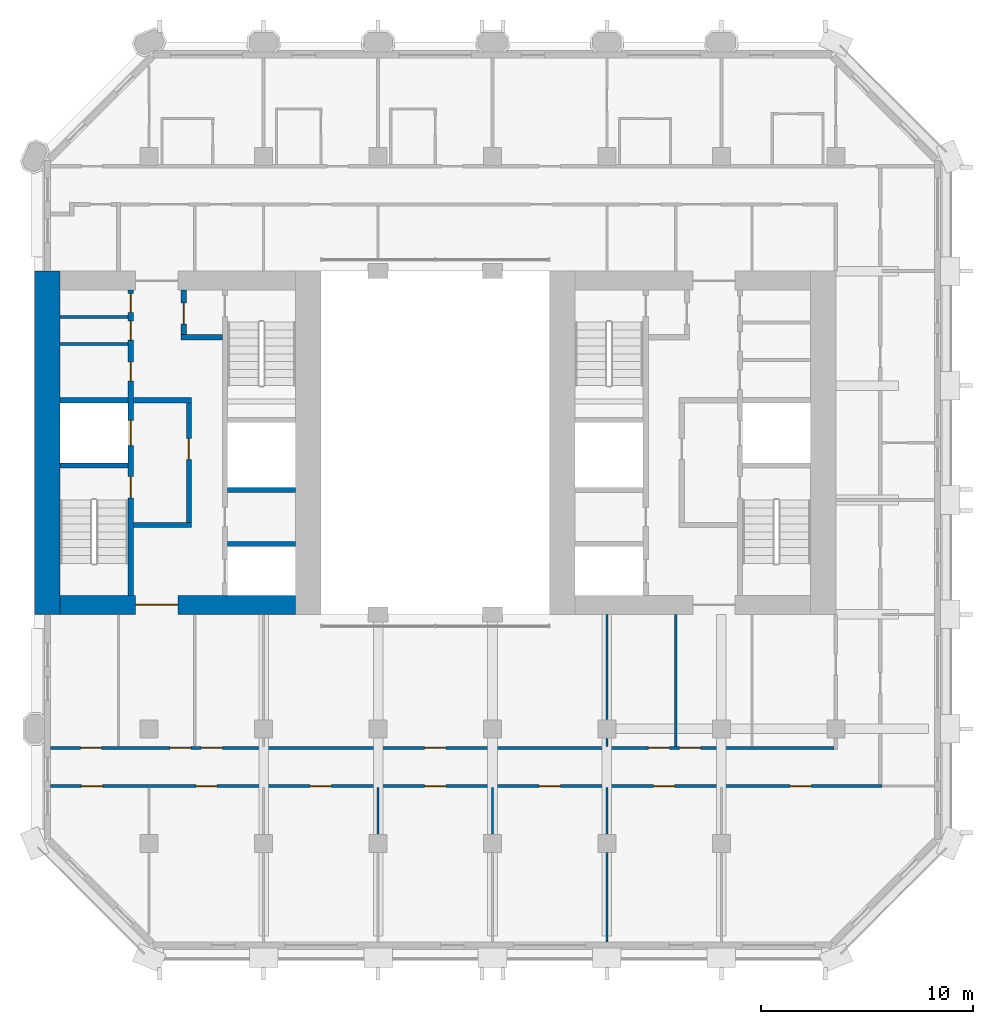
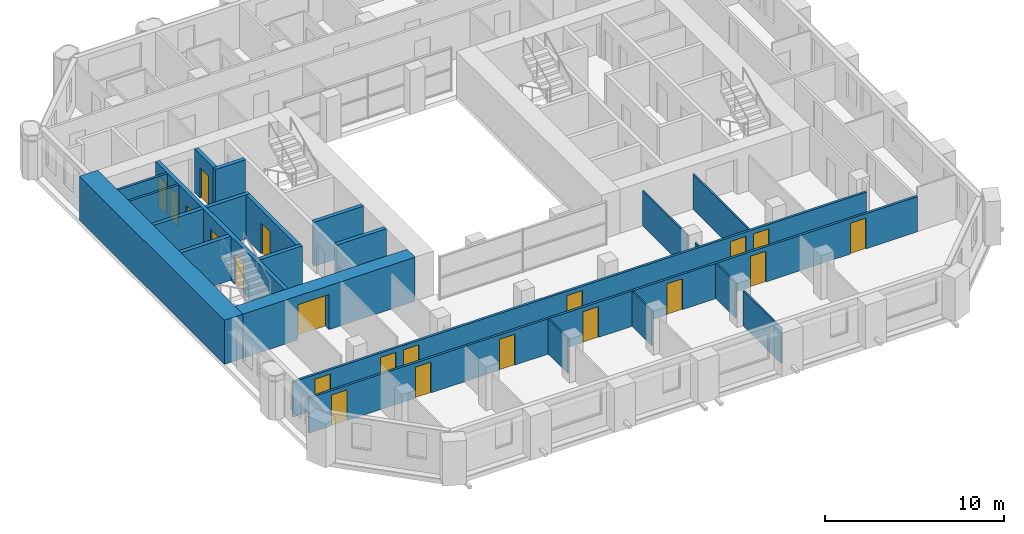
# One storey, part 6 of 13: 23 walls, 21 doors, 21 openings.
"""IFC4 building model written with IfcOpenShell, lengths in metres."""

from ifc_helpers import new_model, si_unit, direction, frame, frame_2d, origin, place, context, subcontext, project, spatial, rectangle, extrude, material, layer, layer_set, type_object, element, fill, save


model = new_model("IFC4")

# Units and contexts
model_context = context("Model", 3, precision=1e-05, world=origin(), true_north=direction((0.0, 1.0)))
body_context = subcontext(model_context, "Body", "Model", "MODEL_VIEW")
ifc_project = project(units=[si_unit("LENGTHUNIT", "METRE"), si_unit("AREAUNIT", "SQUARE_METRE"), si_unit("VOLUMEUNIT", "CUBIC_METRE"), si_unit("PLANEANGLEUNIT", "RADIAN"), si_unit("MASSUNIT", "GRAM", prefix="KILO")], contexts=[model_context])

# Site, building, storey
site_placement = place(None, origin())
site = spatial("IfcSite", under=ifc_project, at=site_placement, CompositionType="ELEMENT")
building_placement = place(site_placement, origin())
building = spatial("IfcBuilding", under=site, at=building_placement, Name="Tabaq Tower and Sports Hall", CompositionType="ELEMENT")
storey_placement = place(building_placement, frame((0.0, 0.0, 169.300048828125)))
storey = spatial("IfcBuildingStorey", under=building, at=storey_placement, Name="L40", CompositionType="ELEMENT", Elevation=169.300048828125)

# Walls
ifc_material_1 = material(Name="Blockwork", Category="masonry")
ifc_layer_1 = layer(ifc_material_1, 0.14990234375)
ifc_layer_set_1 = layer_set([ifc_layer_1], Name="Core room partition 150 Blockwork")
wall_type_1 = type_object("IfcWallType", Name="Core room partition 150 Blockwork", PredefinedType="PARTITIONING", material=ifc_layer_set_1)
for number, where, z_axis, x_axis, name in (
    (1, (6.60009765625, 28.962890625, 0.0), (0.0, 0.0, 1.0), (1.0, 0.0, 0.0), "Core room partition W L40"),
    (2, (6.60009765625, 30.23193359375, 0.0), (0.0, 0.0, 1.0), (1.0, 0.0, 0.0), "Core room partition W L40"),
):
    element("IfcWall", number, at=place(storey_placement, frame(where, z_axis=z_axis, x_axis=x_axis)), inside=storey, type_object=wall_type_1, Name=name, PredefinedType="PARTITIONING", context=body_context, shape_type="SweptSolid", body=[
        extrude(rectangle(XDim=3.199951171875, YDim=0.14990234375, at=frame_2d((1.60009765625, 0.0))), origin(), (0.0, 0.0, 1.0), 3.0),
    ])
ifc_material_2 = material(Name="Concrete C50/60", Category="concrete")
ifc_layer_2 = layer(ifc_material_2, 1.199951171875)
ifc_layer_set_2 = layer_set([ifc_layer_2], Name="Core wall 1200 Concrete C50/60")
wall_type_2 = type_object("IfcWallType", Name="Core wall 1200 Concrete C50/60", PredefinedType="SOLIDWALL", material=ifc_layer_set_2)
wall_1_placement = place(storey_placement, frame((6.0, 16.199951171875, 0.0), z_axis=(0.0, 0.0, 1.0), x_axis=(0.0, 1.0, 0.0)))
element("IfcWall", 3, at=wall_1_placement, inside=storey, type_object=wall_type_2, Name="Core wall W L40", PredefinedType="SOLIDWALL", context=body_context, shape_type="SweptSolid", body=[
    extrude(rectangle(XDim=16.199951171875, YDim=1.199951171875, at=frame_2d((8.10009765625, 0.0))), origin(), (0.0, 0.0, 1.0), 3.0),
])

# Wall, opening, door
ifc_material_3 = material(Name="Concrete C50/60", Category="concrete")
ifc_layer_3 = layer(ifc_material_3, 0.89990234375)
ifc_layer_set_3 = layer_set([ifc_layer_3], Name="Core wall 900 Concrete C50/60")
wall_type_3 = type_object("IfcWallType", Name="Core wall 900 Concrete C50/60", PredefinedType="SOLIDWALL", material=ifc_layer_set_3)
wall_2_placement = place(storey_placement, frame((17.699951171875, 16.64990234375, 0.0), z_axis=(0.0, 0.0, 1.0), x_axis=(-1.0, 0.0, 0.0)))
wall_2 = element("IfcWall", 4, at=wall_2_placement, inside=storey, type_object=wall_type_3, Name="Core wall W L40", PredefinedType="SOLIDWALL", context=body_context, shape_type="SweptSolid", body=[
    extrude(rectangle(XDim=11.099853515625, YDim=0.89990234375, at=frame_2d((5.5498046875, 0.0))), origin(), (0.0, 0.0, 1.0), 3.0),
])
opening_1_placement = place(wall_2_placement, frame((5.550048828125, 0.0, 0.0)))
opening_1 = element("IfcOpeningElement", 5, at=opening_1_placement, cuts=wall_2, Name="Opening PD-WL40-01", PredefinedType="OPENING", context=body_context, shape_type="SweptSolid", body=[
    extrude(rectangle(XDim=2.0, YDim=2.39990234375, at=frame_2d((1.0, 1.199951171875))), frame((0.0, 0.449951171875, 0.0), z_axis=(0.0, -1.0, 0.0), x_axis=(1.0, 0.0, 0.0)), (0.0, 0.0, 1.0), 0.89990234375),
])
ifc_material_4 = material(Name="Steel fire door", Category="steel")
door_type_1 = type_object("IfcDoorType", Name="Core entrance door 2000", OperationType="DOUBLE_DOOR_SINGLE_SWING", PredefinedType="DOOR", material=ifc_material_4)
door_1_placement = place(opening_1_placement, origin())
door_1 = element("IfcDoor", 6, at=door_1_placement, inside=storey, type_object=door_type_1, Name="Core entrance south W L40", OperationType="DOUBLE_DOOR_SINGLE_SWING", OverallHeight=2.39990234375, OverallWidth=2.0, PredefinedType="DOOR", context=body_context, shape_type="SweptSolid", body=[
    extrude(rectangle(XDim=2.0, YDim=2.39990234375, at=frame_2d((1.0, 1.199951171875))), frame((0.0, 0.02490234375, 0.0), z_axis=(0.0, -1.0, 0.0), x_axis=(1.0, 0.0, 0.0)), (0.0, 0.0, 1.0), 0.050048828125),
])
fill(opening_1, door_1)

# Walls
ifc_material_5 = material(Name="Gypsum board on steel studs", Category="steel")
ifc_layer_4 = layer(ifc_material_5, 0.10009765625)
ifc_layer_set_4 = layer_set([ifc_layer_4], Name="Partition 100 Gypsum board")
wall_type_4 = type_object("IfcWallType", Name="Partition 100 Gypsum board", PredefinedType="PARTITIONING", material=ifc_layer_set_4)
for number, where, z_axis, x_axis, name in (
    (7, (21.60009765625, 5.844970703125, 0.0), (0.0, 0.0, 1.0), (0.0, 1.0, 0.0), "Partition wall L40"),
    (8, (27.0, 5.844970703125, 0.0), (0.0, 0.0, 1.0), (0.0, 1.0, 0.0), "Partition wall L40"),
):
    element("IfcWall", number, at=place(storey_placement, frame(where, z_axis=z_axis, x_axis=x_axis)), inside=storey, type_object=wall_type_4, Name=name, PredefinedType="PARTITIONING", context=body_context, shape_type="SweptSolid", body=[
        extrude(rectangle(XDim=2.179931640625, YDim=0.10009765625, at=frame_2d((1.08984375, 0.0))), origin(), (0.0, 0.0, 1.0), 2.39990234375),
    ])
wall_3_placement = place(storey_placement, frame((32.39990234375, 0.7509765625, 0.0), z_axis=(0.0, 0.0, 1.0), x_axis=(0.0, 1.0, 0.0)))
element("IfcWall", 9, at=wall_3_placement, inside=storey, type_object=wall_type_4, Name="Partition wall L40", PredefinedType="PARTITIONING", context=body_context, shape_type="SweptSolid", body=[
    extrude(rectangle(XDim=4.2041015625, YDim=0.10009765625, at=frame_2d((2.10205078125, 0.0))), origin(), (0.0, 0.0, 1.0), 2.39990234375),
])
wall_4_placement = place(storey_placement, frame((32.39990234375, 5.844970703125, 0.0), z_axis=(0.0, 0.0, 1.0), x_axis=(0.0, 1.0, 0.0)))
element("IfcWall", 10, at=wall_4_placement, inside=storey, type_object=wall_type_4, Name="Partition wall L40", PredefinedType="PARTITIONING", context=body_context, shape_type="SweptSolid", body=[
    extrude(rectangle(XDim=2.179931640625, YDim=0.10009765625, at=frame_2d((1.08984375, 0.0))), origin(), (0.0, 0.0, 1.0), 2.39990234375),
])
wall_5_placement = place(storey_placement, frame((32.39990234375, 9.97509765625, 0.0), z_axis=(0.0, 0.0, 1.0), x_axis=(0.0, 1.0, 0.0)))
element("IfcWall", 11, at=wall_5_placement, inside=storey, type_object=wall_type_4, Name="Partition wall L40", PredefinedType="PARTITIONING", context=body_context, shape_type="SweptSolid", body=[
    extrude(rectangle(XDim=0.3798828125, YDim=0.10009765625, at=frame_2d((0.18994140625, 0.0))), origin(), (0.0, 0.0, 1.0), 2.39990234375),
])
wall_6_placement = place(storey_placement, frame((32.39990234375, 11.2451171875, 0.0), z_axis=(0.0, 0.0, 1.0), x_axis=(0.0, 1.0, 0.0)))
element("IfcWall", 12, at=wall_6_placement, inside=storey, type_object=wall_type_4, Name="Partition wall L40", PredefinedType="PARTITIONING", context=body_context, shape_type="SweptSolid", body=[
    extrude(rectangle(XDim=4.954833984375, YDim=0.10009765625, at=frame_2d((2.4775390625, 0.0))), origin(), (0.0, 0.0, 1.0), 2.39990234375),
])
wall_7_placement = place(storey_placement, frame((35.64990234375, 16.199951171875, 0.0), z_axis=(0.0, 0.0, 1.0), x_axis=(0.0, -1.0, 0.0)))
element("IfcWall", 13, at=wall_7_placement, inside=storey, type_object=wall_type_4, Name="Partition wall L40", PredefinedType="PARTITIONING", context=body_context, shape_type="SweptSolid", body=[
    extrude(rectangle(XDim=6.224853515625, YDim=0.10009765625, at=frame_2d((3.1123046875, 0.0))), origin(), (0.0, 0.0, 1.0), 2.39990234375),
])

# Wall, openings, doors
ifc_material_6 = material(Name="Blockwork", Category="masonry")
ifc_layer_5 = layer(ifc_material_6, 0.14990234375)
ifc_layer_set_5 = layer_set([ifc_layer_5], Name="Separating wall 150 Blockwork")
wall_type_5 = type_object("IfcWallType", Name="Separating wall 150 Blockwork", PredefinedType="PARTITIONING", material=ifc_layer_set_5)
wall_8_placement = place(storey_placement, frame((45.375, 8.10009765625, 0.0), z_axis=(0.0, 0.0, 1.0), x_axis=(-1.0, 0.0, 0.0)))
wall_8 = element("IfcWall", 14, at=wall_8_placement, inside=storey, type_object=wall_type_5, Name="Separating wall L40", PredefinedType="PARTITIONING", context=body_context, shape_type="SweptSolid", body=[
    extrude(rectangle(XDim=39.22412109375, YDim=0.14990234375, at=frame_2d((19.612060546875, 0.0))), origin(), (0.0, 0.0, 1.0), 2.39990234375),
])
opening_2_placement = place(wall_8_placement, frame((36.77490234375, 0.0, 0.0)))
opening_2 = element("IfcOpeningElement", 15, at=opening_2_placement, cuts=wall_8, Name="Opening L40-015", PredefinedType="OPENING", context=body_context, shape_type="SweptSolid", body=[
    extrude(rectangle(XDim=1.0, YDim=2.10009765625, at=frame_2d((0.5, 1.050048828125))), frame((0.0, 0.074951171875, 0.0), z_axis=(0.0, -1.0, 0.0), x_axis=(1.0, 0.0, 0.0)), (0.0, 0.0, 1.0), 0.14990234375),
])
opening_3_placement = place(wall_8_placement, frame((31.375, 0.0, 0.0)))
opening_3 = element("IfcOpeningElement", 16, at=opening_3_placement, cuts=wall_8, Name="Opening L40-016", PredefinedType="OPENING", context=body_context, shape_type="SweptSolid", body=[
    extrude(rectangle(XDim=1.0, YDim=2.10009765625, at=frame_2d((0.5, 1.050048828125))), frame((0.0, 0.074951171875, 0.0), z_axis=(0.0, -1.0, 0.0), x_axis=(1.0, 0.0, 0.0)), (0.0, 0.0, 1.0), 0.14990234375),
])
opening_4_placement = place(wall_8_placement, frame((25.97509765625, 0.0, 0.0)))
opening_4 = element("IfcOpeningElement", 17, at=opening_4_placement, cuts=wall_8, Name="Opening L40-017", PredefinedType="OPENING", context=body_context, shape_type="SweptSolid", body=[
    extrude(rectangle(XDim=1.0, YDim=2.10009765625, at=frame_2d((0.5, 1.050048828125))), frame((0.0, 0.074951171875, 0.0), z_axis=(0.0, -1.0, 0.0), x_axis=(1.0, 0.0, 0.0)), (0.0, 0.0, 1.0), 0.14990234375),
])
opening_5_placement = place(wall_8_placement, frame((20.574951171875, 0.0, 0.0)))
opening_5 = element("IfcOpeningElement", 18, at=opening_5_placement, cuts=wall_8, Name="Opening L40-018", PredefinedType="OPENING", context=body_context, shape_type="SweptSolid", body=[
    extrude(rectangle(XDim=1.0, YDim=2.10009765625, at=frame_2d((0.5, 1.050048828125))), frame((0.0, 0.074951171875, 0.0), z_axis=(0.0, -1.0, 0.0), x_axis=(1.0, 0.0, 0.0)), (0.0, 0.0, 1.0), 0.14990234375),
])
opening_6_placement = place(wall_8_placement, frame((15.175048828125, 0.0, 0.0)))
opening_6 = element("IfcOpeningElement", 19, at=opening_6_placement, cuts=wall_8, Name="Opening L40-019", PredefinedType="OPENING", context=body_context, shape_type="SweptSolid", body=[
    extrude(rectangle(XDim=1.0, YDim=2.10009765625, at=frame_2d((0.5, 1.050048828125))), frame((0.0, 0.074951171875, 0.0), z_axis=(0.0, -1.0, 0.0), x_axis=(1.0, 0.0, 0.0)), (0.0, 0.0, 1.0), 0.14990234375),
])
opening_7_placement = place(wall_8_placement, frame((9.77490234375, 0.0, 0.0)))
opening_7 = element("IfcOpeningElement", 20, at=opening_7_placement, cuts=wall_8, Name="Opening L40-020", PredefinedType="OPENING", context=body_context, shape_type="SweptSolid", body=[
    extrude(rectangle(XDim=1.0, YDim=2.10009765625, at=frame_2d((0.5, 1.050048828125))), frame((0.0, 0.074951171875, 0.0), z_axis=(0.0, -1.0, 0.0), x_axis=(1.0, 0.0, 0.0)), (0.0, 0.0, 1.0), 0.14990234375),
])
opening_8_placement = place(wall_8_placement, frame((3.324951171875, 0.0, 0.0)))
opening_8 = element("IfcOpeningElement", 21, at=opening_8_placement, cuts=wall_8, Name="Opening L40-021", PredefinedType="OPENING", context=body_context, shape_type="SweptSolid", body=[
    extrude(rectangle(XDim=1.0, YDim=2.10009765625, at=frame_2d((0.5, 1.050048828125))), frame((0.0, 0.074951171875, 0.0), z_axis=(0.0, -1.0, 0.0), x_axis=(1.0, 0.0, 0.0)), (0.0, 0.0, 1.0), 0.14990234375),
])
ifc_material_7 = material(Name="Timber leaf in steel frame", Category="steel")
door_type_2 = type_object("IfcDoorType", Name="Internal door 1000 left hand", OperationType="SINGLE_SWING_LEFT", PredefinedType="DOOR", material=ifc_material_7)
door_2_placement = place(opening_2_placement, origin())
door_2 = element("IfcDoor", 22, at=door_2_placement, inside=storey, type_object=door_type_2, Name="Internal door L40-015", OperationType="SINGLE_SWING_LEFT", OverallHeight=2.10009765625, OverallWidth=1.0, PredefinedType="DOOR", context=body_context, shape_type="SweptSolid", body=[
    extrude(rectangle(XDim=1.0, YDim=2.10009765625, at=frame_2d((0.5, 1.050048828125))), frame((0.0, 0.02490234375, 0.0), z_axis=(0.0, -1.0, 0.0), x_axis=(1.0, 0.0, 0.0)), (0.0, 0.0, 1.0), 0.050048828125),
])
fill(opening_2, door_2)
door_3_placement = place(opening_5_placement, origin())
door_3 = element("IfcDoor", 23, at=door_3_placement, inside=storey, type_object=door_type_2, Name="Internal door L40-018", OperationType="SINGLE_SWING_LEFT", OverallHeight=2.10009765625, OverallWidth=1.0, PredefinedType="DOOR", context=body_context, shape_type="SweptSolid", body=[
    extrude(rectangle(XDim=1.0, YDim=2.10009765625, at=frame_2d((0.5, 1.050048828125))), frame((0.0, 0.02490234375, 0.0), z_axis=(0.0, -1.0, 0.0), x_axis=(1.0, 0.0, 0.0)), (0.0, 0.0, 1.0), 0.050048828125),
])
fill(opening_5, door_3)
door_4_placement = place(opening_6_placement, origin())
door_4 = element("IfcDoor", 24, at=door_4_placement, inside=storey, type_object=door_type_2, Name="Internal door L40-019", OperationType="SINGLE_SWING_LEFT", OverallHeight=2.10009765625, OverallWidth=1.0, PredefinedType="DOOR", context=body_context, shape_type="SweptSolid", body=[
    extrude(rectangle(XDim=1.0, YDim=2.10009765625, at=frame_2d((0.5, 1.050048828125))), frame((0.0, 0.02490234375, 0.0), z_axis=(0.0, -1.0, 0.0), x_axis=(1.0, 0.0, 0.0)), (0.0, 0.0, 1.0), 0.050048828125),
])
fill(opening_6, door_4)
ifc_material_8 = material(Name="Timber leaf in steel frame", Category="steel")
door_type_3 = type_object("IfcDoorType", Name="Internal door 1000 right hand", OperationType="SINGLE_SWING_RIGHT", PredefinedType="DOOR", material=ifc_material_8)
door_5_placement = place(opening_3_placement, origin())
door_5 = element("IfcDoor", 25, at=door_5_placement, inside=storey, type_object=door_type_3, Name="Internal door L40-016", OperationType="SINGLE_SWING_RIGHT", OverallHeight=2.10009765625, OverallWidth=1.0, PredefinedType="DOOR", context=body_context, shape_type="SweptSolid", body=[
    extrude(rectangle(XDim=1.0, YDim=2.10009765625, at=frame_2d((0.5, 1.050048828125))), frame((0.0, 0.02490234375, 0.0), z_axis=(0.0, -1.0, 0.0), x_axis=(1.0, 0.0, 0.0)), (0.0, 0.0, 1.0), 0.050048828125),
])
fill(opening_3, door_5)
door_6_placement = place(opening_4_placement, origin())
door_6 = element("IfcDoor", 26, at=door_6_placement, inside=storey, type_object=door_type_3, Name="Internal door L40-017", OperationType="SINGLE_SWING_RIGHT", OverallHeight=2.10009765625, OverallWidth=1.0, PredefinedType="DOOR", context=body_context, shape_type="SweptSolid", body=[
    extrude(rectangle(XDim=1.0, YDim=2.10009765625, at=frame_2d((0.5, 1.050048828125))), frame((0.0, 0.02490234375, 0.0), z_axis=(0.0, -1.0, 0.0), x_axis=(1.0, 0.0, 0.0)), (0.0, 0.0, 1.0), 0.050048828125),
])
fill(opening_4, door_6)
door_7_placement = place(opening_7_placement, origin())
door_7 = element("IfcDoor", 27, at=door_7_placement, inside=storey, type_object=door_type_3, Name="Internal door L40-020", OperationType="SINGLE_SWING_RIGHT", OverallHeight=2.10009765625, OverallWidth=1.0, PredefinedType="DOOR", context=body_context, shape_type="SweptSolid", body=[
    extrude(rectangle(XDim=1.0, YDim=2.10009765625, at=frame_2d((0.5, 1.050048828125))), frame((0.0, 0.02490234375, 0.0), z_axis=(0.0, -1.0, 0.0), x_axis=(1.0, 0.0, 0.0)), (0.0, 0.0, 1.0), 0.050048828125),
])
fill(opening_7, door_7)
door_8_placement = place(opening_8_placement, origin())
door_8 = element("IfcDoor", 28, at=door_8_placement, inside=storey, type_object=door_type_3, Name="Internal door L40-021", OperationType="SINGLE_SWING_RIGHT", OverallHeight=2.10009765625, OverallWidth=1.0, PredefinedType="DOOR", context=body_context, shape_type="SweptSolid", body=[
    extrude(rectangle(XDim=1.0, YDim=2.10009765625, at=frame_2d((0.5, 1.050048828125))), frame((0.0, 0.02490234375, 0.0), z_axis=(0.0, -1.0, 0.0), x_axis=(1.0, 0.0, 0.0)), (0.0, 0.0, 1.0), 0.050048828125),
])
fill(opening_8, door_8)

wall_9_placement = place(storey_placement, frame((6.15087890625, 9.89990234375, 0.0), z_axis=(0.0, 0.0, 1.0), x_axis=(1.0, 0.0, 0.0)))
wall_9 = element("IfcWall", 29, at=wall_9_placement, inside=storey, type_object=wall_type_5, Name="Separating wall L40", PredefinedType="PARTITIONING", context=body_context, shape_type="SweptSolid", body=[
    extrude(rectangle(XDim=36.97412109375, YDim=0.14990234375, at=frame_2d((18.487060546875, 0.0))), origin(), (0.0, 0.0, 1.0), 2.39990234375),
])
opening_9_placement = place(wall_9_placement, frame((17.64892578125, 0.0, 0.0)))
opening_9 = element("IfcOpeningElement", 30, at=opening_9_placement, cuts=wall_9, Name="Opening L40-022", PredefinedType="OPENING", context=body_context, shape_type="SweptSolid", body=[
    extrude(rectangle(XDim=1.0, YDim=2.10009765625, at=frame_2d((0.5, 1.050048828125))), frame((0.0, 0.074951171875, 0.0), z_axis=(0.0, -1.0, 0.0), x_axis=(1.0, 0.0, 0.0)), (0.0, 0.0, 1.0), 0.14990234375),
])
opening_10_placement = place(wall_9_placement, frame((1.408935546875, 0.0, 0.0)))
opening_10 = element("IfcOpeningElement", 31, at=opening_10_placement, cuts=wall_9, Name="Opening L40-024", PredefinedType="OPENING", context=body_context, shape_type="SweptSolid", body=[
    extrude(rectangle(XDim=1.0, YDim=2.10009765625, at=frame_2d((0.5, 1.050048828125))), frame((0.0, 0.074951171875, 0.0), z_axis=(0.0, -1.0, 0.0), x_axis=(1.0, 0.0, 0.0)), (0.0, 0.0, 1.0), 0.14990234375),
])
opening_11_placement = place(wall_9_placement, frame((28.198974609375, 0.0, 0.0)))
opening_11 = element("IfcOpeningElement", 32, at=opening_11_placement, cuts=wall_9, Name="Opening L40-025", PredefinedType="OPENING", context=body_context, shape_type="SweptSolid", body=[
    extrude(rectangle(XDim=1.0, YDim=2.10009765625, at=frame_2d((0.5, 1.050048828125))), frame((0.0, 0.074951171875, 0.0), z_axis=(0.0, -1.0, 0.0), x_axis=(1.0, 0.0, 0.0)), (0.0, 0.0, 1.0), 0.14990234375),
])
opening_12_placement = place(wall_9_placement, frame((7.09912109375, 0.0, 0.0)))
opening_12 = element("IfcOpeningElement", 33, at=opening_12_placement, cuts=wall_9, Name="Opening L40-027", PredefinedType="OPENING", context=body_context, shape_type="SweptSolid", body=[
    extrude(rectangle(XDim=1.0, YDim=2.10009765625, at=frame_2d((0.5, 1.050048828125))), frame((0.0, 0.074951171875, 0.0), z_axis=(0.0, -1.0, 0.0), x_axis=(1.0, 0.0, 0.0)), (0.0, 0.0, 1.0), 0.14990234375),
])
opening_13_placement = place(wall_9_placement, frame((5.62890625, 0.0, 0.0)))
opening_13 = element("IfcOpeningElement", 34, at=opening_13_placement, cuts=wall_9, Name="Opening L40-039", PredefinedType="OPENING", context=body_context, shape_type="SweptSolid", body=[
    extrude(rectangle(XDim=1.0, YDim=2.10009765625, at=frame_2d((0.5, 1.050048828125))), frame((0.0, 0.074951171875, 0.0), z_axis=(0.0, -1.0, 0.0), x_axis=(1.0, 0.0, 0.0)), (0.0, 0.0, 1.0), 0.14990234375),
])
opening_14_placement = place(wall_9_placement, frame((29.6689453125, 0.0, 0.0)))
opening_14 = element("IfcOpeningElement", 35, at=opening_14_placement, cuts=wall_9, Name="Opening L40-040", PredefinedType="OPENING", context=body_context, shape_type="SweptSolid", body=[
    extrude(rectangle(XDim=1.0, YDim=2.10009765625, at=frame_2d((0.5, 1.050048828125))), frame((0.0, 0.074951171875, 0.0), z_axis=(0.0, -1.0, 0.0), x_axis=(1.0, 0.0, 0.0)), (0.0, 0.0, 1.0), 0.14990234375),
])
door_9_placement = place(opening_9_placement, origin())
door_9 = element("IfcDoor", 36, at=door_9_placement, inside=storey, type_object=door_type_2, Name="Internal door L40-022", OperationType="SINGLE_SWING_LEFT", OverallHeight=2.10009765625, OverallWidth=1.0, PredefinedType="DOOR", context=body_context, shape_type="SweptSolid", body=[
    extrude(rectangle(XDim=1.0, YDim=2.10009765625, at=frame_2d((0.5, 1.050048828125))), frame((0.0, 0.02490234375, 0.0), z_axis=(0.0, -1.0, 0.0), x_axis=(1.0, 0.0, 0.0)), (0.0, 0.0, 1.0), 0.050048828125),
])
fill(opening_9, door_9)
door_10_placement = place(opening_12_placement, origin())
door_10 = element("IfcDoor", 37, at=door_10_placement, inside=storey, type_object=door_type_2, Name="Internal door L40-027", OperationType="SINGLE_SWING_LEFT", OverallHeight=2.10009765625, OverallWidth=1.0, PredefinedType="DOOR", context=body_context, shape_type="SweptSolid", body=[
    extrude(rectangle(XDim=1.0, YDim=2.10009765625, at=frame_2d((0.5, 1.050048828125))), frame((0.0, 0.02490234375, 0.0), z_axis=(0.0, -1.0, 0.0), x_axis=(1.0, 0.0, 0.0)), (0.0, 0.0, 1.0), 0.050048828125),
])
fill(opening_12, door_10)
door_11_placement = place(opening_10_placement, origin())
door_11 = element("IfcDoor", 38, at=door_11_placement, inside=storey, type_object=door_type_3, Name="Internal door L40-024", OperationType="SINGLE_SWING_RIGHT", OverallHeight=2.10009765625, OverallWidth=1.0, PredefinedType="DOOR", context=body_context, shape_type="SweptSolid", body=[
    extrude(rectangle(XDim=1.0, YDim=2.10009765625, at=frame_2d((0.5, 1.050048828125))), frame((0.0, 0.02490234375, 0.0), z_axis=(0.0, -1.0, 0.0), x_axis=(1.0, 0.0, 0.0)), (0.0, 0.0, 1.0), 0.050048828125),
])
fill(opening_10, door_11)
door_12_placement = place(opening_11_placement, origin())
door_12 = element("IfcDoor", 39, at=door_12_placement, inside=storey, type_object=door_type_3, Name="Internal door L40-025", OperationType="SINGLE_SWING_RIGHT", OverallHeight=2.10009765625, OverallWidth=1.0, PredefinedType="DOOR", context=body_context, shape_type="SweptSolid", body=[
    extrude(rectangle(XDim=1.0, YDim=2.10009765625, at=frame_2d((0.5, 1.050048828125))), frame((0.0, 0.02490234375, 0.0), z_axis=(0.0, -1.0, 0.0), x_axis=(1.0, 0.0, 0.0)), (0.0, 0.0, 1.0), 0.050048828125),
])
fill(opening_11, door_12)
door_13_placement = place(opening_13_placement, origin())
door_13 = element("IfcDoor", 40, at=door_13_placement, inside=storey, type_object=door_type_3, Name="Internal door L40-039", OperationType="SINGLE_SWING_RIGHT", OverallHeight=2.10009765625, OverallWidth=1.0, PredefinedType="DOOR", context=body_context, shape_type="SweptSolid", body=[
    extrude(rectangle(XDim=1.0, YDim=2.10009765625, at=frame_2d((0.5, 1.050048828125))), frame((0.0, 0.02490234375, 0.0), z_axis=(0.0, -1.0, 0.0), x_axis=(1.0, 0.0, 0.0)), (0.0, 0.0, 1.0), 0.050048828125),
])
fill(opening_13, door_13)
door_14_placement = place(opening_14_placement, origin())
door_14 = element("IfcDoor", 41, at=door_14_placement, inside=storey, type_object=door_type_3, Name="Internal door L40-040", OperationType="SINGLE_SWING_RIGHT", OverallHeight=2.10009765625, OverallWidth=1.0, PredefinedType="DOOR", context=body_context, shape_type="SweptSolid", body=[
    extrude(rectangle(XDim=1.0, YDim=2.10009765625, at=frame_2d((0.5, 1.050048828125))), frame((0.0, 0.02490234375, 0.0), z_axis=(0.0, -1.0, 0.0), x_axis=(1.0, 0.0, 0.0)), (0.0, 0.0, 1.0), 0.050048828125),
])
fill(opening_14, door_14)

ifc_material_9 = material(Name="Concrete C40/50", Category="concrete")
ifc_layer_6 = layer(ifc_material_9, 0.25)
ifc_layer_set_6 = layer_set([ifc_layer_6], Name="Shaft and stair wall 250 Concrete C40/50")
wall_type_6 = type_object("IfcWallType", Name="Shaft and stair wall 250 Concrete C40/50", PredefinedType="SOLIDWALL", material=ifc_layer_set_6)
wall_10_placement = place(storey_placement, frame((9.925048828125, 17.10009765625, 0.0), z_axis=(0.0, 0.0, 1.0), x_axis=(0.0, 1.0, 0.0)))
wall_10 = element("IfcWall", 42, at=wall_10_placement, inside=storey, type_object=wall_type_6, Name="Shaft wall W L40", PredefinedType="SOLIDWALL", context=body_context, shape_type="SweptSolid", body=[
    extrude(rectangle(XDim=14.39990234375, YDim=0.25, at=frame_2d((7.199951171875, 0.0))), origin(), (0.0, 0.0, 1.0), 3.0),
])
opening_15_placement = place(wall_10_placement, frame((4.60009765625, 0.0, 0.0)))
opening_15 = element("IfcOpeningElement", 43, at=opening_15_placement, cuts=wall_10, Name="Opening SD-WL40-03", PredefinedType="OPENING", context=body_context, shape_type="SweptSolid", body=[
    extrude(rectangle(XDim=1.0, YDim=2.10009765625, at=frame_2d((0.5, 1.050048828125))), frame((0.0, 0.125, 0.0), z_axis=(0.0, -1.0, 0.0), x_axis=(1.0, 0.0, 0.0)), (0.0, 0.0, 1.0), 0.25),
])
opening_16_placement = place(wall_10_placement, frame((7.0625, 0.0, 0.0)))
opening_16 = element("IfcOpeningElement", 44, at=opening_16_placement, cuts=wall_10, Name="Opening LD-FF1-L40", PredefinedType="OPENING", context=body_context, shape_type="SweptSolid", body=[
    extrude(rectangle(XDim=1.199951171875, YDim=2.10009765625, at=frame_2d((0.60009765625, 1.050048828125))), frame((0.0, 0.125, 0.0), z_axis=(0.0, -1.0, 0.0), x_axis=(1.0, 0.0, 0.0)), (0.0, 0.0, 1.0), 0.25),
])
opening_17_placement = place(wall_10_placement, frame((10.1064453125, 0.0, 0.0)))
opening_17 = element("IfcOpeningElement", 45, at=opening_17_placement, cuts=wall_10, Name="Opening RD-WL40-09", PredefinedType="OPENING", context=body_context, shape_type="SweptSolid", body=[
    extrude(rectangle(XDim=0.89990234375, YDim=2.10009765625, at=frame_2d((0.449951171875, 1.050048828125))), frame((0.0, 0.125, 0.0), z_axis=(0.0, -1.0, 0.0), x_axis=(1.0, 0.0, 0.0)), (0.0, 0.0, 1.0), 0.25),
])
opening_18_placement = place(wall_10_placement, frame((12.047607421875, 0.0, 0.0)))
opening_18 = element("IfcOpeningElement", 46, at=opening_18_placement, cuts=wall_10, Name="Opening RD-WL40-10", PredefinedType="OPENING", context=body_context, shape_type="SweptSolid", body=[
    extrude(rectangle(XDim=0.89990234375, YDim=2.10009765625, at=frame_2d((0.449951171875, 1.050048828125))), frame((0.0, 0.125, 0.0), z_axis=(0.0, -1.0, 0.0), x_axis=(1.0, 0.0, 0.0)), (0.0, 0.0, 1.0), 0.25),
])
opening_19_placement = place(wall_10_placement, frame((13.353515625, 0.0, 0.0)))
opening_19 = element("IfcOpeningElement", 47, at=opening_19_placement, cuts=wall_10, Name="Opening RD-WL40-11", PredefinedType="OPENING", context=body_context, shape_type="SweptSolid", body=[
    extrude(rectangle(XDim=0.89990234375, YDim=2.10009765625, at=frame_2d((0.449951171875, 1.050048828125))), frame((0.0, 0.125, 0.0), z_axis=(0.0, -1.0, 0.0), x_axis=(1.0, 0.0, 0.0)), (0.0, 0.0, 1.0), 0.25),
])
ifc_material_10 = material(Name="Steel fire door", Category="steel")
door_type_4 = type_object("IfcDoorType", Name="Core room door 900", OperationType="SINGLE_SWING_LEFT", PredefinedType="DOOR", material=ifc_material_10)
door_15_placement = place(opening_17_placement, origin())
door_15 = element("IfcDoor", 48, at=door_15_placement, inside=storey, type_object=door_type_4, Name="Door Unisex WC W L40", OperationType="SINGLE_SWING_LEFT", OverallHeight=2.10009765625, OverallWidth=0.89990234375, PredefinedType="DOOR", context=body_context, shape_type="SweptSolid", body=[
    extrude(rectangle(XDim=0.89990234375, YDim=2.10009765625, at=frame_2d((0.449951171875, 1.050048828125))), frame((0.0, 0.02490234375, 0.0), z_axis=(0.0, -1.0, 0.0), x_axis=(1.0, 0.0, 0.0)), (0.0, 0.0, 1.0), 0.050048828125),
])
fill(opening_17, door_15)
door_16_placement = place(opening_18_placement, origin())
door_16 = element("IfcDoor", 49, at=door_16_placement, inside=storey, type_object=door_type_4, Name="Door Cleaner's Store W L40", OperationType="SINGLE_SWING_LEFT", OverallHeight=2.10009765625, OverallWidth=0.89990234375, PredefinedType="DOOR", context=body_context, shape_type="SweptSolid", body=[
    extrude(rectangle(XDim=0.89990234375, YDim=2.10009765625, at=frame_2d((0.449951171875, 1.050048828125))), frame((0.0, 0.02490234375, 0.0), z_axis=(0.0, -1.0, 0.0), x_axis=(1.0, 0.0, 0.0)), (0.0, 0.0, 1.0), 0.050048828125),
])
fill(opening_18, door_16)
door_17_placement = place(opening_19_placement, origin())
door_17 = element("IfcDoor", 50, at=door_17_placement, inside=storey, type_object=door_type_4, Name="Door Accessible WC W L40", OperationType="SINGLE_SWING_LEFT", OverallHeight=2.10009765625, OverallWidth=0.89990234375, PredefinedType="DOOR", context=body_context, shape_type="SweptSolid", body=[
    extrude(rectangle(XDim=0.89990234375, YDim=2.10009765625, at=frame_2d((0.449951171875, 1.050048828125))), frame((0.0, 0.02490234375, 0.0), z_axis=(0.0, -1.0, 0.0), x_axis=(1.0, 0.0, 0.0)), (0.0, 0.0, 1.0), 0.050048828125),
])
fill(opening_19, door_17)
ifc_material_11 = material(Name="Stainless steel", Category="steel")
door_type_5 = type_object("IfcDoorType", Name="Lift landing door 1200", OperationType="DOUBLE_DOOR_SLIDING", PredefinedType="DOOR", material=ifc_material_11)
door_18_placement = place(opening_16_placement, origin())
door_18 = element("IfcDoor", 51, at=door_18_placement, inside=storey, type_object=door_type_5, Name="Lift landing door FF1 W L40", OperationType="DOUBLE_DOOR_SLIDING", OverallHeight=2.10009765625, OverallWidth=1.199951171875, PredefinedType="DOOR", context=body_context, shape_type="SweptSolid", body=[
    extrude(rectangle(XDim=1.199951171875, YDim=2.10009765625, at=frame_2d((0.60009765625, 1.050048828125))), frame((0.0, 0.02490234375, 0.0), z_axis=(0.0, -1.0, 0.0), x_axis=(1.0, 0.0, 0.0)), (0.0, 0.0, 1.0), 0.050048828125),
])
fill(opening_16, door_18)
ifc_material_12 = material(Name="Steel fire door", Category="steel")
door_type_6 = type_object("IfcDoorType", Name="Stair door 1000", OperationType="SINGLE_SWING_LEFT", PredefinedType="DOOR", material=ifc_material_12)
door_19_placement = place(opening_15_placement, origin())
door_19 = element("IfcDoor", 52, at=door_19_placement, inside=storey, type_object=door_type_6, Name="Stair door ST1 W L40", OperationType="SINGLE_SWING_LEFT", OverallHeight=2.10009765625, OverallWidth=1.0, PredefinedType="DOOR", context=body_context, shape_type="SweptSolid", body=[
    extrude(rectangle(XDim=1.0, YDim=2.10009765625, at=frame_2d((0.5, 1.050048828125))), frame((0.0, 0.02490234375, 0.0), z_axis=(0.0, -1.0, 0.0), x_axis=(1.0, 0.0, 0.0)), (0.0, 0.0, 1.0), 0.050048828125),
])
fill(opening_15, door_19)

# Walls
for number, where, z_axis, x_axis, name in (
    (53, (6.60009765625, 23.22509765625, 0.0), (0.0, 0.0, 1.0), (1.0, 0.0, 0.0), "Stair enclosure wall W L40"),
    (54, (14.5, 22.074951171875, 0.0), (0.0, 0.0, 1.0), (1.0, 0.0, 0.0), "Shaft wall W L40"),
    (55, (6.60009765625, 26.300048828125, 0.0), (0.0, 0.0, 1.0), (1.0, 0.0, 0.0), "Shaft wall W L40"),
):
    element("IfcWall", number, at=place(storey_placement, frame(where, z_axis=z_axis, x_axis=x_axis)), inside=storey, type_object=wall_type_6, Name=name, PredefinedType="SOLIDWALL", context=body_context, shape_type="SweptSolid", body=[
        extrude(rectangle(XDim=3.199951171875, YDim=0.25, at=frame_2d((1.60009765625, 0.0))), origin(), (0.0, 0.0, 1.0), 3.0),
    ])
for number, where, z_axis, x_axis, name in (
    (56, (10.050048828125, 26.300048828125, 0.0), (0.0, 0.0, 1.0), (1.0, 0.0, 0.0), "Fire-fighting lobby wall W L40"),
    (57, (10.050048828125, 20.425048828125, 0.0), (0.0, 0.0, 1.0), (1.0, 0.0, 0.0), "Fire-fighting lobby wall W L40"),
):
    element("IfcWall", number, at=place(storey_placement, frame(where, z_axis=z_axis, x_axis=x_axis)), inside=storey, type_object=wall_type_6, Name=name, PredefinedType="SOLIDWALL", context=body_context, shape_type="SweptSolid", body=[
        extrude(rectangle(XDim=2.75, YDim=0.25, at=frame_2d((1.375, 0.0))), origin(), (0.0, 0.0, 1.0), 3.0),
    ])

# Wall, opening, door
wall_11_placement = place(storey_placement, frame((12.425048828125, 29.39990234375, 0.0), z_axis=(0.0, 0.0, 1.0), x_axis=(0.0, 1.0, 0.0)))
wall_11 = element("IfcWall", 58, at=wall_11_placement, inside=storey, type_object=wall_type_6, Name="Fire-fighting lobby wall W L40", PredefinedType="SOLIDWALL", context=body_context, shape_type="SweptSolid", body=[
    extrude(rectangle(XDim=2.10009765625, YDim=0.25, at=frame_2d((1.050048828125, 0.0))), origin(), (0.0, 0.0, 1.0), 3.0),
])
opening_20_placement = place(wall_11_placement, frame((0.5, 0.0, 0.0)))
opening_20 = element("IfcOpeningElement", 59, at=opening_20_placement, cuts=wall_11, Name="Opening FD-WL40-06", PredefinedType="OPENING", context=body_context, shape_type="SweptSolid", body=[
    extrude(rectangle(XDim=1.0, YDim=2.10009765625, at=frame_2d((0.5, 1.050048828125))), frame((0.0, 0.125, 0.0), z_axis=(0.0, -1.0, 0.0), x_axis=(1.0, 0.0, 0.0)), (0.0, 0.0, 1.0), 0.25),
])
ifc_material_13 = material(Name="Steel fire door", Category="steel")
door_type_7 = type_object("IfcDoorType", Name="Fire-fighting lobby door 1000", OperationType="SINGLE_SWING_LEFT", PredefinedType="DOOR", material=ifc_material_13)
door_20_placement = place(opening_20_placement, origin())
door_20 = element("IfcDoor", 60, at=door_20_placement, inside=storey, type_object=door_type_7, Name="Stair lobby door W L40", OperationType="SINGLE_SWING_LEFT", OverallHeight=2.10009765625, OverallWidth=1.0, PredefinedType="DOOR", context=body_context, shape_type="SweptSolid", body=[
    extrude(rectangle(XDim=1.0, YDim=2.10009765625, at=frame_2d((0.5, 1.050048828125))), frame((0.0, 0.02490234375, 0.0), z_axis=(0.0, -1.0, 0.0), x_axis=(1.0, 0.0, 0.0)), (0.0, 0.0, 1.0), 0.050048828125),
])
fill(opening_20, door_20)

# Wall
wall_12_placement = place(storey_placement, frame((12.300048828125, 29.27490234375, 0.0), z_axis=(0.0, 0.0, 1.0), x_axis=(1.0, 0.0, 0.0)))
element("IfcWall", 61, at=wall_12_placement, inside=storey, type_object=wall_type_6, Name="Fire-fighting lobby wall W L40", PredefinedType="SOLIDWALL", context=body_context, shape_type="SweptSolid", body=[
    extrude(rectangle(XDim=1.949951171875, YDim=0.25, at=frame_2d((0.97509765625, 0.0))), origin(), (0.0, 0.0, 1.0), 3.0),
])

# Wall, opening, door
wall_13_placement = place(storey_placement, frame((12.675048828125, 20.550048828125, 0.0), z_axis=(0.0, 0.0, 1.0), x_axis=(0.0, 1.0, 0.0)))
wall_13 = element("IfcWall", 62, at=wall_13_placement, inside=storey, type_object=wall_type_6, Name="Fire-fighting lobby wall W L40", PredefinedType="SOLIDWALL", context=body_context, shape_type="SweptSolid", body=[
    extrude(rectangle(XDim=5.625, YDim=0.25, at=frame_2d((2.8125, 0.0))), origin(), (0.0, 0.0, 1.0), 3.0),
])
opening_21_placement = place(wall_13_placement, frame((2.949951171875, 0.0, 0.0)))
opening_21 = element("IfcOpeningElement", 63, at=opening_21_placement, cuts=wall_13, Name="Opening FD-WL40-04", PredefinedType="OPENING", context=body_context, shape_type="SweptSolid", body=[
    extrude(rectangle(XDim=1.0, YDim=2.10009765625, at=frame_2d((0.5, 1.050048828125))), frame((0.0, 0.125, 0.0), z_axis=(0.0, -1.0, 0.0), x_axis=(1.0, 0.0, 0.0)), (0.0, 0.0, 1.0), 0.25),
])
door_21_placement = place(opening_21_placement, origin())
door_21 = element("IfcDoor", 64, at=door_21_placement, inside=storey, type_object=door_type_7, Name="Fire-fighting lobby door W L40", OperationType="SINGLE_SWING_LEFT", OverallHeight=2.10009765625, OverallWidth=1.0, PredefinedType="DOOR", context=body_context, shape_type="SweptSolid", body=[
    extrude(rectangle(XDim=1.0, YDim=2.10009765625, at=frame_2d((0.5, 1.050048828125))), frame((0.0, 0.02490234375, 0.0), z_axis=(0.0, -1.0, 0.0), x_axis=(1.0, 0.0, 0.0)), (0.0, 0.0, 1.0), 0.050048828125),
])
fill(opening_21, door_21)

# Wall
wall_14_placement = place(storey_placement, frame((14.5, 19.52490234375, 0.0), z_axis=(0.0, 0.0, 1.0), x_axis=(1.0, 0.0, 0.0)))
element("IfcWall", 65, at=wall_14_placement, inside=storey, type_object=wall_type_6, Name="Shaft wall W L40", PredefinedType="SOLIDWALL", context=body_context, shape_type="SweptSolid", body=[
    extrude(rectangle(XDim=3.199951171875, YDim=0.25, at=frame_2d((1.60009765625, 0.0))), origin(), (0.0, 0.0, 1.0), 3.0),
])

save(model, "model.ifc")
